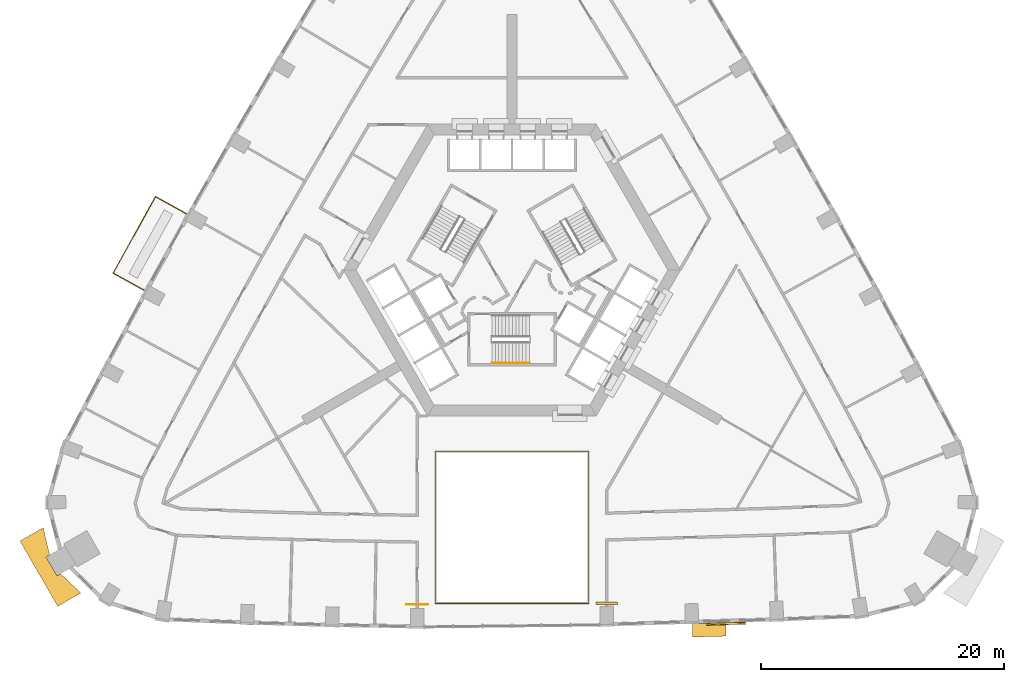
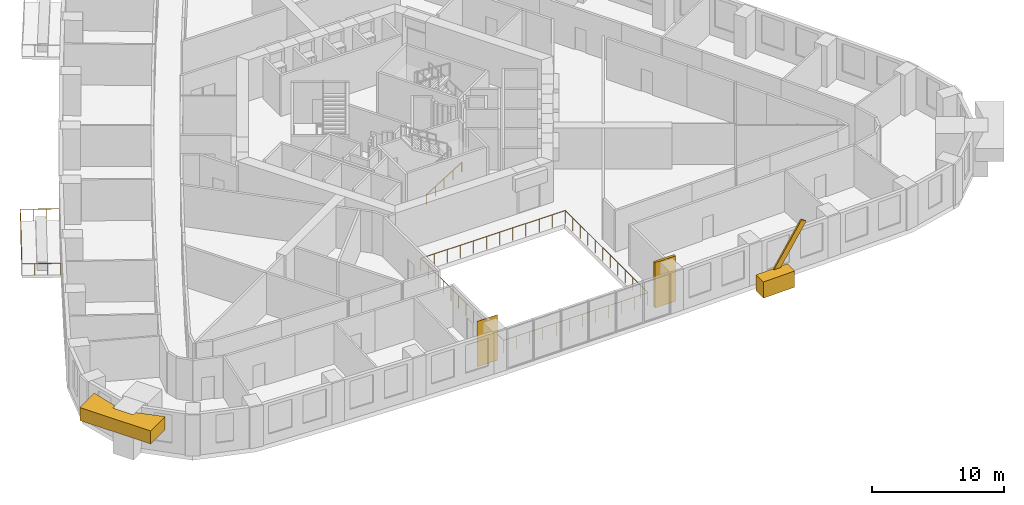
# One storey, part 13 of 15: 4 coverings, 3 railings, 1 shading device.
"""IFC4 building model written with IfcOpenShell, lengths in metres."""

import ifcopenshell
import ifcopenshell.guid

model = None  # the IFC model being written
_history = None  # IfcOwnerHistory: only IFC2X3 demands one
_inside = {}  # id of a spatial element -> (the spatial element, [elements in it])
_under = {}  # id of a project, library or spatial element -> (it, [spatial elements below it])
_declared = {}  # id of a project -> (the project, [libraries it declares])
_typed = {}  # id of a type object -> (the type object, [elements of that type])
_made_of = {}  # id of a material, layer set ... -> (it, [elements and type objects made of it])


def new_model(schema):
    """Start an empty IFC model of exactly this schema.

    Asked for "IFC4X3", IfcOpenShell would pick the latest addendum, in which some entities
    have other attributes; the version numbers below select the first issue.
    IFC2X3 requires an IfcOwnerHistory on every rooted entity: one is made here for all.
    """
    global model, _history
    if schema == "IFC4X3":
        model = ifcopenshell.file(schema_version=(4, 3, 0, 0))
    else:
        model = ifcopenshell.file(schema=schema)
    _inside.clear()
    _under.clear()
    _declared.clear()
    _typed.clear()
    _made_of.clear()
    _history = None
    if model.schema == "IFC2X3":
        org = make("IfcOrganization", Name="unknown")
        user = make(
            "IfcPersonAndOrganization",
            ThePerson=make("IfcPerson", FamilyName="unknown"),
            TheOrganization=org,
        )
        app = make(
            "IfcApplication",
            ApplicationDeveloper=org,
            Version="unknown",
            ApplicationFullName="unknown",
            ApplicationIdentifier="unknown",
        )
        _history = make(
            "IfcOwnerHistory",
            OwningUser=user,
            OwningApplication=app,
            ChangeAction="ADDED",
            CreationDate=0,
        )
    return model


def make(cls, **values):
    """One entity of the class cls with the attributes given. An attribute that is None is left unset."""
    return model.create_entity(
        cls, **{name: value for name, value in values.items() if value is not None}
    )


def rooted(cls, **values):
    """An entity with a GlobalId (a new one), such as an element, a storey or a relation."""
    return make(cls, GlobalId=ifcopenshell.guid.new(), OwnerHistory=_history, **values)


def si_unit(unit_type, name, prefix=None):
    """IfcSIUnit, for example si_unit("LENGTHUNIT", "METRE", prefix="MILLI")."""
    return make("IfcSIUnit", UnitType=unit_type, Prefix=prefix, Name=name)


def assignment(units):
    """IfcUnitAssignment: the units of a project."""
    return None if units is None else make("IfcUnitAssignment", Units=units)


def point(xyz):
    """IfcCartesianPoint."""
    return None if xyz is None else make("IfcCartesianPoint", Coordinates=xyz)


def direction(xyz):
    """IfcDirection."""
    return None if xyz is None else make("IfcDirection", DirectionRatios=xyz)


def frame(location, z_axis=None, x_axis=None):
    """IfcAxis2Placement3D, a coordinate frame: its origin and axes. An axis left out is left unset."""
    return make(
        "IfcAxis2Placement3D",
        Location=point(location),
        Axis=direction(z_axis),
        RefDirection=direction(x_axis),
    )


def frame_2d(location, x_axis=None):
    """IfcAxis2Placement2D, a coordinate frame in the plane: its origin and x axis."""
    return make(
        "IfcAxis2Placement2D", Location=point(location), RefDirection=direction(x_axis)
    )


def origin():
    """The frame at (0, 0, 0) with its axes left unset."""
    return frame((0.0, 0.0, 0.0))


def origin_2d():
    """The frame at (0, 0) in the plane with its x axis left unset."""
    return frame_2d((0.0, 0.0))


def place(relative_to, where):
    """IfcLocalPlacement: puts the frame where relative to a parent placement (None: the world)."""
    return make(
        "IfcLocalPlacement", PlacementRelTo=relative_to, RelativePlacement=where
    )


def context(
    kind, dimensions, precision=None, world=None, true_north=None, identifier=None
):
    """IfcGeometricRepresentationContext, for example the 3D "Model" context."""
    return make(
        "IfcGeometricRepresentationContext",
        ContextIdentifier=identifier,
        ContextType=kind,
        CoordinateSpaceDimension=dimensions,
        Precision=precision,
        WorldCoordinateSystem=world,
        TrueNorth=true_north,
    )


def subcontext(parent, identifier, kind, view, scale=None):
    """IfcGeometricRepresentationSubContext, for example "Body" below "Model"."""
    return make(
        "IfcGeometricRepresentationSubContext",
        ContextIdentifier=identifier,
        ContextType=kind,
        ParentContext=parent,
        TargetScale=scale,
        TargetView=view,
    )


def project(units=None, contexts=None):
    """IfcProject with its units and contexts."""
    return rooted(
        "IfcProject",
        Name="project",
        RepresentationContexts=contexts,
        UnitsInContext=assignment(units),
    )


def spatial(cls, under=None, at=None, **own):
    """A site, building, storey or space (cls), placed at a placement, below another one or the project."""
    s = rooted(cls, ObjectPlacement=at, **own)
    if under is not None:
        _under.setdefault(under.id(), (under, []))[1].append(s)
    return s


def polyline(points):
    """IfcPolyline through the points."""
    return make("IfcPolyline", Points=[point(p) for p in points])


def profile(cls, at=None, kind="AREA", **sizes):
    """A parametric profile (cls). Its sizes go by their IFC names, for example OverallWidth=200.0."""
    return make(cls, ProfileType=kind, Position=at, **sizes)


def rectangle(**sizes):
    """IfcRectangleProfileDef."""
    return profile("IfcRectangleProfileDef", **sizes)


def circle(**sizes):
    """IfcCircleProfileDef."""
    return profile("IfcCircleProfileDef", **sizes)


def outline(outer, holes=None, kind="AREA"):
    """IfcArbitraryClosedProfileDef: a profile drawn as a closed curve; with holes, ...WithVoids."""
    if holes is None:
        return make("IfcArbitraryClosedProfileDef", ProfileType=kind, OuterCurve=outer)
    return make(
        "IfcArbitraryProfileDefWithVoids",
        ProfileType=kind,
        OuterCurve=outer,
        InnerCurves=holes,
    )


def extrude(swept, where, along, depth):
    """IfcExtrudedAreaSolid: the profile swept, set in the frame where, extruded along a direction by depth."""
    return make(
        "IfcExtrudedAreaSolid",
        SweptArea=swept,
        Position=where,
        ExtrudedDirection=direction(along),
        Depth=depth,
    )


def shape(context_of_items, identifier, shape_type, items):
    """IfcShapeRepresentation: the items that make up one representation, for example the "Body"."""
    return make(
        "IfcShapeRepresentation",
        ContextOfItems=context_of_items,
        RepresentationIdentifier=identifier,
        RepresentationType=shape_type,
        Items=items,
    )


def material(Name=None, Category=None):
    """IfcMaterial."""
    return make("IfcMaterial", Name=Name, Category=Category)


def material_profile(
    of_material, cross_section, Name=None, Category=None, Priority=None
):
    """IfcMaterialProfile: a cross section and its material."""
    return make(
        "IfcMaterialProfile",
        Name=Name,
        Material=of_material,
        Profile=cross_section,
        Priority=Priority,
        Category=Category,
    )


def profile_set(profiles, Name=None, composite=None):
    """IfcMaterialProfileSet."""
    return make(
        "IfcMaterialProfileSet",
        Name=Name,
        MaterialProfiles=profiles,
        CompositeProfile=composite,
    )


def made_of(thing, what):
    """Note that an element or type object is made of a material, layer set ...; save() writes the relation."""
    if what is not None:
        _made_of.setdefault(what.id(), (what, []))[1].append(thing)
    return thing


def type_object(cls, material=None, **own):
    """A type object (cls), such as IfcWallType, which elements share."""
    return made_of(rooted(cls, **own), material)


def element(
    cls,
    number,
    at=None,
    inside=None,
    cuts=None,
    type_object=None,
    material=None,
    context=None,
    identifier="Body",
    shape_type=None,
    held_by="IfcProductDefinitionShape",
    body=None,
    shapes=None,
    **own,
):
    """One element of the class cls, such as IfcWall. Its Tag is "e" and its number.

    at: its placement. inside: the storey or other place that contains it. cuts: it is an
    opening in that element (IfcRelVoidsElement). A single representation is given by context,
    identifier, shape_type and body (its items); several are given by shapes. held_by: the class
    of the entity that holds the representations. save() writes the other relations.
    """
    e = rooted(cls, Tag="e%d" % number, ObjectPlacement=at, **own)
    if body is not None:
        shapes = [shape(context, identifier, shape_type, body)]
    if shapes is not None:
        e.Representation = make(held_by, Representations=shapes)
    if inside is not None:
        _inside.setdefault(inside.id(), (inside, []))[1].append(e)
    if cuts is not None:
        rooted(
            "IfcRelVoidsElement", RelatingBuildingElement=cuts, RelatedOpeningElement=e
        )
    if type_object is not None:
        _typed.setdefault(type_object.id(), (type_object, []))[1].append(e)
    return made_of(e, material)


def aggregate(whole, parts):
    """IfcRelAggregates: a whole, such as a stair, and the parts it consists of."""
    return rooted("IfcRelAggregates", RelatingObject=whole, RelatedObjects=parts)


def save(model, path):
    """Write the relations noted so far, then the file.

    IfcRelAggregates (storeys below a building ...), IfcRelContainedInSpatialStructure (elements
    in a storey), IfcRelDefinesByType, IfcRelAssociatesMaterial and IfcRelDeclares: one each for
    every whole, place, type object, material and project.
    """
    for whole, parts in _under.values():
        aggregate(whole, parts)
    for where, things in _inside.values():
        rooted(
            "IfcRelContainedInSpatialStructure",
            RelatedElements=things,
            RelatingStructure=where,
        )
    for kind, things in _typed.values():
        rooted("IfcRelDefinesByType", RelatedObjects=things, RelatingType=kind)
    for what, things in _made_of.values():
        rooted("IfcRelAssociatesMaterial", RelatedObjects=things, RelatingMaterial=what)
    for by, libraries in _declared.values():
        rooted("IfcRelDeclares", RelatingContext=by, RelatedDefinitions=libraries)
    model.write(path)


model = new_model("IFC4")

# Units and contexts
model_context = context("Model", 3, precision=1e-05, world=origin(), true_north=direction((0.0, 1.0)))
body_context = subcontext(model_context, "Body", "Model", "MODEL_VIEW")
ifc_project = project(units=[si_unit("LENGTHUNIT", "METRE"), si_unit("AREAUNIT", "SQUARE_METRE"), si_unit("VOLUMEUNIT", "CUBIC_METRE"), si_unit("PLANEANGLEUNIT", "RADIAN"), si_unit("MASSUNIT", "GRAM", prefix="KILO")], contexts=[model_context])

# Site, building, storey
site_placement = place(None, origin())
site = spatial("IfcSite", under=ifc_project, at=site_placement, CompositionType="ELEMENT")
building_placement = place(site_placement, origin())
building = spatial("IfcBuilding", under=site, at=building_placement, Name="Entoto Arch Interchange Tower", CompositionType="ELEMENT")
storey_placement = place(building_placement, frame((0.0, 0.0, 107.60009765625)))
storey = spatial("IfcBuildingStorey", under=building, at=storey_placement, Name="L23", CompositionType="ELEMENT", Elevation=107.60009765625)

# Railing
ifc_material_1 = material(Name="Stainless steel 1.4301", Category="steel")
railing_type_1 = type_object("IfcRailingType", Name="ATRIUM GUARD 1200 STEEL AND GLASS", PredefinedType="GUARDRAIL", material=ifc_material_1)
railing_1_placement = place(storey_placement, frame((6.320068359375, -24.9140625, 0.0)))
element("IfcRailing", 1, at=railing_1_placement, inside=storey, type_object=railing_type_1, Name="Atrium guard L23", PredefinedType="GUARDRAIL", context=body_context, shape_type="SweptSolid", body=[
    extrude(circle(Radius=0.02392578125, at=origin_2d()), frame((0.0, 0.0, 1.17578125), z_axis=(-1.0, 0.0, 0.0), x_axis=(0.0, -1.0, 0.0)), (0.0, 0.0, 1.0), 12.64013671875),
    extrude(circle(Radius=0.02392578125, at=origin_2d()), frame((-12.64013671875, 0.0, 1.17578125), z_axis=(0.0, 1.0, 0.0), x_axis=(-1.0, 0.0, 0.0)), (0.0, 0.0, 1.0), 12.5341796875),
    extrude(circle(Radius=0.02392578125, at=origin_2d()), frame((-12.64013671875, 12.5341796875, 1.17578125), z_axis=(1.0, 0.0, 0.0), x_axis=(0.0, 1.0, 0.0)), (0.0, 0.0, 1.0), 12.64013671875),
    extrude(circle(Radius=0.02392578125, at=origin_2d()), frame((0.0, 12.5341796875, 1.17578125), z_axis=(0.0, -1.0, 0.0), x_axis=(1.0, 0.0, 0.0)), (0.0, 0.0, 1.0), 12.5341796875),
    extrude(circle(Radius=0.02099609375, at=origin_2d()), origin(), (0.0, 0.0, 1.0), 1.15185546875),
    extrude(circle(Radius=0.02099609375, at=origin_2d()), frame((-1.149169921875, 0.0, 0.0)), (0.0, 0.0, 1.0), 1.15185546875),
    extrude(circle(Radius=0.02099609375, at=origin_2d()), frame((-2.298095703125, 0.0, 0.0)), (0.0, 0.0, 1.0), 1.15185546875),
    extrude(circle(Radius=0.02099609375, at=origin_2d()), frame((-3.447265625, 0.0, 0.0)), (0.0, 0.0, 1.0), 1.15185546875),
    extrude(circle(Radius=0.02099609375, at=origin_2d()), frame((-4.596435546875, 0.0, 0.0)), (0.0, 0.0, 1.0), 1.15185546875),
    extrude(circle(Radius=0.02099609375, at=origin_2d()), frame((-5.74560546875, 0.0, 0.0)), (0.0, 0.0, 1.0), 1.15185546875),
    extrude(circle(Radius=0.02099609375, at=origin_2d()), frame((-6.89453125, 0.0, 0.0)), (0.0, 0.0, 1.0), 1.15185546875),
    extrude(circle(Radius=0.02099609375, at=origin_2d()), frame((-8.043701171875, 0.0, 0.0)), (0.0, 0.0, 1.0), 1.15185546875),
    extrude(circle(Radius=0.02099609375, at=origin_2d()), frame((-9.19287109375, 0.0, 0.0)), (0.0, 0.0, 1.0), 1.15185546875),
    extrude(circle(Radius=0.02099609375, at=origin_2d()), frame((-10.342041015625, 0.0, 0.0)), (0.0, 0.0, 1.0), 1.15185546875),
    extrude(circle(Radius=0.02099609375, at=origin_2d()), frame((-11.490966796875, 0.0, 0.0)), (0.0, 0.0, 1.0), 1.15185546875),
    extrude(circle(Radius=0.02099609375, at=origin_2d()), frame((-12.64013671875, 0.0, 0.0)), (0.0, 0.0, 1.0), 1.15185546875),
    extrude(circle(Radius=0.02099609375, at=origin_2d()), frame((-12.64013671875, 1.139404296875, 0.0)), (0.0, 0.0, 1.0), 1.15185546875),
    extrude(circle(Radius=0.02099609375, at=origin_2d()), frame((-12.64013671875, 2.279052734375, 0.0)), (0.0, 0.0, 1.0), 1.15185546875),
    extrude(circle(Radius=0.02099609375, at=origin_2d()), frame((-12.64013671875, 3.41845703125, 0.0)), (0.0, 0.0, 1.0), 1.15185546875),
    extrude(circle(Radius=0.02099609375, at=origin_2d()), frame((-12.64013671875, 4.557861328125, 0.0)), (0.0, 0.0, 1.0), 1.15185546875),
    extrude(circle(Radius=0.02099609375, at=origin_2d()), frame((-12.64013671875, 5.697265625, 0.0)), (0.0, 0.0, 1.0), 1.15185546875),
    extrude(circle(Radius=0.02099609375, at=origin_2d()), frame((-12.64013671875, 6.8369140625, 0.0)), (0.0, 0.0, 1.0), 1.15185546875),
    extrude(circle(Radius=0.02099609375, at=origin_2d()), frame((-12.64013671875, 7.976318359375, 0.0)), (0.0, 0.0, 1.0), 1.15185546875),
    extrude(circle(Radius=0.02099609375, at=origin_2d()), frame((-12.64013671875, 9.11572265625, 0.0)), (0.0, 0.0, 1.0), 1.15185546875),
    extrude(circle(Radius=0.02099609375, at=origin_2d()), frame((-12.64013671875, 10.255126953125, 0.0)), (0.0, 0.0, 1.0), 1.15185546875),
    extrude(circle(Radius=0.02099609375, at=origin_2d()), frame((-12.64013671875, 11.394775390625, 0.0)), (0.0, 0.0, 1.0), 1.15185546875),
    extrude(circle(Radius=0.02099609375, at=origin_2d()), frame((-12.64013671875, 12.5341796875, 0.0)), (0.0, 0.0, 1.0), 1.15185546875),
    extrude(circle(Radius=0.02099609375, at=origin_2d()), frame((-11.490966796875, 12.5341796875, 0.0)), (0.0, 0.0, 1.0), 1.15185546875),
    extrude(circle(Radius=0.02099609375, at=origin_2d()), frame((-10.342041015625, 12.5341796875, 0.0)), (0.0, 0.0, 1.0), 1.15185546875),
    extrude(circle(Radius=0.02099609375, at=origin_2d()), frame((-9.19287109375, 12.5341796875, 0.0)), (0.0, 0.0, 1.0), 1.15185546875),
    extrude(circle(Radius=0.02099609375, at=origin_2d()), frame((-8.043701171875, 12.5341796875, 0.0)), (0.0, 0.0, 1.0), 1.15185546875),
    extrude(circle(Radius=0.02099609375, at=origin_2d()), frame((-6.89453125, 12.5341796875, 0.0)), (0.0, 0.0, 1.0), 1.15185546875),
    extrude(circle(Radius=0.02099609375, at=origin_2d()), frame((-5.74560546875, 12.5341796875, 0.0)), (0.0, 0.0, 1.0), 1.15185546875),
    extrude(circle(Radius=0.02099609375, at=origin_2d()), frame((-4.596435546875, 12.5341796875, 0.0)), (0.0, 0.0, 1.0), 1.15185546875),
    extrude(circle(Radius=0.02099609375, at=origin_2d()), frame((-3.447265625, 12.5341796875, 0.0)), (0.0, 0.0, 1.0), 1.15185546875),
    extrude(circle(Radius=0.02099609375, at=origin_2d()), frame((-2.298095703125, 12.5341796875, 0.0)), (0.0, 0.0, 1.0), 1.15185546875),
    extrude(circle(Radius=0.02099609375, at=origin_2d()), frame((-1.149169921875, 12.5341796875, 0.0)), (0.0, 0.0, 1.0), 1.15185546875),
    extrude(circle(Radius=0.02099609375, at=origin_2d()), frame((0.0, 12.5341796875, 0.0)), (0.0, 0.0, 1.0), 1.15185546875),
    extrude(circle(Radius=0.02099609375, at=origin_2d()), frame((0.0, 11.394775390625, 0.0)), (0.0, 0.0, 1.0), 1.15185546875),
    extrude(circle(Radius=0.02099609375, at=origin_2d()), frame((0.0, 10.255126953125, 0.0)), (0.0, 0.0, 1.0), 1.15185546875),
    extrude(circle(Radius=0.02099609375, at=origin_2d()), frame((0.0, 9.11572265625, 0.0)), (0.0, 0.0, 1.0), 1.15185546875),
    extrude(circle(Radius=0.02099609375, at=origin_2d()), frame((0.0, 7.976318359375, 0.0)), (0.0, 0.0, 1.0), 1.15185546875),
    extrude(circle(Radius=0.02099609375, at=origin_2d()), frame((0.0, 6.8369140625, 0.0)), (0.0, 0.0, 1.0), 1.15185546875),
    extrude(circle(Radius=0.02099609375, at=origin_2d()), frame((0.0, 5.697265625, 0.0)), (0.0, 0.0, 1.0), 1.15185546875),
    extrude(circle(Radius=0.02099609375, at=origin_2d()), frame((0.0, 4.557861328125, 0.0)), (0.0, 0.0, 1.0), 1.15185546875),
    extrude(circle(Radius=0.02099609375, at=origin_2d()), frame((0.0, 3.41845703125, 0.0)), (0.0, 0.0, 1.0), 1.15185546875),
    extrude(circle(Radius=0.02099609375, at=origin_2d()), frame((0.0, 2.279052734375, 0.0)), (0.0, 0.0, 1.0), 1.15185546875),
    extrude(circle(Radius=0.02099609375, at=origin_2d()), frame((0.0, 1.139404296875, 0.0)), (0.0, 0.0, 1.0), 1.15185546875),
])

# Shading device
ifc_material_2 = material(Name="Board-marked precast concrete C50/60", Category="concrete")
ifc_material_profile = material_profile(ifc_material_2, rectangle(XDim=0.14990234375, YDim=0.5, at=origin_2d()))
ifc_profile_set = profile_set([ifc_material_profile], Name="Board-marked precast concrete C50/60")
shading_device_type = type_object("IfcShadingDeviceType", Name="FOLD BAND PRECAST 150x500", PredefinedType="USERDEFINED", material=ifc_profile_set)
shading_device_placement = place(storey_placement, frame((16.22802734375, -26.613037109375, 0.25), z_axis=(0.550502716459, 0.015914409572, 0.834681670302), x_axis=(-0.028896794231, 0.999582400447, 0.0)))
element("IfcShadingDevice", 2, at=shading_device_placement, inside=storey, type_object=shading_device_type, Name="Fold band L23", ObjectType="FOLD BAND", PredefinedType="USERDEFINED", context=body_context, shape_type="SweptSolid", body=[
    extrude(rectangle(XDim=0.14990234375, YDim=0.5, at=origin_2d()), origin(), (0.0, 0.0, 1.0), 5.03173828125),
])

# Railing
railing_type_2 = type_object("IfcRailingType", Name="GUARD 1100 STEEL AND GLASS", PredefinedType="GUARDRAIL", material=ifc_material_1)
railing_2_placement = place(storey_placement, frame((-26.73291015625, 7.115966796875, 0.0)))
element("IfcRailing", 3, at=railing_2_placement, inside=storey, type_object=railing_type_2, Name="Balcony guard NW-06 L23", PredefinedType="GUARDRAIL", context=body_context, shape_type="SweptSolid", body=[
    extrude(circle(Radius=0.02392578125, at=origin_2d()), frame((0.0, 0.0, 1.076171875), z_axis=(-0.874477147938, 0.485066714725, 0.0), x_axis=(-0.485066714725, -0.874477147938, 0.0)), (0.0, 0.0, 1.0), 2.950439453125),
    extrude(circle(Radius=0.02392578125, at=origin_2d()), frame((-2.580078125, 1.43115234375, 1.076171875), z_axis=(-0.485179583195, -0.874414531015, 0.0), x_axis=(0.874414531015, -0.485179583195, 0.0)), (0.0, 0.0, 1.0), 7.203857421875),
    extrude(circle(Radius=0.02392578125, at=origin_2d()), frame((-6.0751953125, -4.867919921875, 1.076171875), z_axis=(0.874477147938, -0.485066714725, 0.0), x_axis=(0.485066714725, 0.874477147938, 0.0)), (0.0, 0.0, 1.0), 2.950439453125),
    extrude(circle(Radius=0.02099609375, at=origin_2d()), origin(), (0.0, 0.0, 1.0), 1.052001953125),
    extrude(circle(Radius=0.02099609375, at=origin_2d()), frame((-0.860107421875, 0.47705078125, 0.0)), (0.0, 0.0, 1.0), 1.052001953125),
    extrude(circle(Radius=0.02099609375, at=origin_2d()), frame((-1.719970703125, 0.9541015625, 0.0)), (0.0, 0.0, 1.0), 1.052001953125),
    extrude(circle(Radius=0.02099609375, at=origin_2d()), frame((-2.580078125, 1.43115234375, 0.0)), (0.0, 0.0, 1.0), 1.052001953125),
    extrude(circle(Radius=0.02099609375, at=origin_2d()), frame((-3.079345703125, 0.53125, 0.0)), (0.0, 0.0, 1.0), 1.052001953125),
    extrude(circle(Radius=0.02099609375, at=origin_2d()), frame((-3.57861328125, -0.36865234375, 0.0)), (0.0, 0.0, 1.0), 1.052001953125),
    extrude(circle(Radius=0.02099609375, at=origin_2d()), frame((-4.077880859375, -1.2685546875, 0.0)), (0.0, 0.0, 1.0), 1.052001953125),
    extrude(circle(Radius=0.02099609375, at=origin_2d()), frame((-4.577392578125, -2.168212890625, 0.0)), (0.0, 0.0, 1.0), 1.052001953125),
    extrude(circle(Radius=0.02099609375, at=origin_2d()), frame((-5.07666015625, -3.068115234375, 0.0)), (0.0, 0.0, 1.0), 1.052001953125),
    extrude(circle(Radius=0.02099609375, at=origin_2d()), frame((-5.575927734375, -3.968017578125, 0.0)), (0.0, 0.0, 1.0), 1.052001953125),
    extrude(circle(Radius=0.02099609375, at=origin_2d()), frame((-6.0751953125, -4.867919921875, 0.0)), (0.0, 0.0, 1.0), 1.052001953125),
    extrude(circle(Radius=0.02099609375, at=origin_2d()), frame((-5.215087890625, -5.344970703125, 0.0)), (0.0, 0.0, 1.0), 1.052001953125),
    extrude(circle(Radius=0.02099609375, at=origin_2d()), frame((-4.355224609375, -5.822021484375, 0.0)), (0.0, 0.0, 1.0), 1.052001953125),
    extrude(circle(Radius=0.02099609375, at=origin_2d()), frame((-3.4951171875, -6.299072265625, 0.0)), (0.0, 0.0, 1.0), 1.052001953125),
])

# Coverings
covering_type = type_object("IfcCoveringType", Name="PRECAST FRAME COURSE", PredefinedType="CLADDING", material=ifc_material_2)
covering_1_placement = place(storey_placement, frame((0.0, 0.0, 2.599853515625)))
element("IfcCovering", 4, at=covering_1_placement, inside=storey, type_object=covering_type, Name="Corner pilaster head SW L21-L23", PredefinedType="CLADDING", context=body_context, shape_type="SweptSolid", body=[
    extrude(outline(polyline([(-37.35791015625, -25.14892578125), (-40.4580078125, -19.779052734375), (-38.553955078125, -18.679931640625), (-38.01904296875, -20.912109375), (-38.318115234375, -21.0849609375), (-37.41796875, -22.64306640625), (-37.118896484375, -22.470947265625), (-35.452880859375, -24.049072265625), (-37.35791015625, -25.14892578125)])), origin(), (0.0, 0.0, 1.0), 1.199951171875),
])
covering_2_placement = place(storey_placement, frame((0.0, 0.0, -0.400146484375)))
element("IfcCovering", 5, at=covering_2_placement, inside=storey, type_object=covering_type, Name="Gate pier L23", PredefinedType="CLADDING", context=body_context, shape_type="SweptSolid", body=[
    extrude(outline(polyline([(-8.69189453125, -24.966064453125), (-6.89208984375, -24.966064453125), (-6.89208984375, -24.9990234375), (-8.69189453125, -24.9990234375), (-8.69189453125, -24.966064453125)])), origin(), (0.0, 0.0, 1.0), 4.199951171875),
])
covering_3_placement = place(storey_placement, frame((0.0, 0.0, -0.400146484375)))
element("IfcCovering", 6, at=covering_3_placement, inside=storey, type_object=covering_type, Name="Gate pier L23", PredefinedType="CLADDING", context=body_context, shape_type="SweptSolid", body=[
    extrude(outline(polyline([(6.89208984375, -24.7939453125), (8.69189453125, -24.7939453125), (8.69189453125, -24.9990234375), (6.89208984375, -24.9990234375), (6.89208984375, -24.7939453125)])), origin(), (0.0, 0.0, 1.0), 4.199951171875),
])
covering_4_placement = place(storey_placement, frame((0.0, 0.0, -0.650146484375)))
element("IfcCovering", 7, at=covering_4_placement, inside=storey, type_object=covering_type, Name="Fold crease ribbon L23", PredefinedType="CLADDING", context=body_context, shape_type="SweptSolid", body=[
    extrude(outline(polyline([(15.427978515625, -27.660888671875), (15.37109375, -27.6650390625), (14.840087890625, -27.677978515625), (14.840087890625, -26.577880859375), (15.344970703125, -26.56591796875), (15.344970703125, -26.56298828125), (17.611083984375, -26.498046875), (17.611083984375, -27.60009765625), (15.427978515625, -27.660888671875)])), origin(), (0.0, 0.0, 1.0), 1.5),
])

# Railing
railing_type_3 = type_object("IfcRailingType", Name="STAIR HANDRAIL 900 STEEL", PredefinedType="HANDRAIL", material=ifc_material_1)
railing_3_placement = place(storey_placement, frame((-1.64990234375, -5.14990234375, 0.1748046875)))
element("IfcRailing", 8, at=railing_3_placement, inside=storey, type_object=railing_type_3, Name="L23 ST-S stair handrail 1", PredefinedType="HANDRAIL", context=body_context, shape_type="SweptSolid", body=[
    extrude(circle(Radius=0.02392578125, at=origin_2d()), frame((0.0, 0.0, 0.8759765625), z_axis=(0.847979421464, 0.0, 0.530029150871), x_axis=(0.0, 1.0, 0.0)), (0.0, 0.0, 1.0), 3.632080078125),
    extrude(circle(Radius=0.02099609375, at=origin_2d()), origin(), (0.0, 0.0, 1.0), 0.851806640625),
    extrude(circle(Radius=0.02099609375, at=origin_2d()), frame((0.77001953125, 0.0, 0.481201171875)), (0.0, 0.0, 1.0), 0.851806640625),
    extrude(circle(Radius=0.02099609375, at=origin_2d()), frame((1.5400390625, 0.0, 0.96240234375)), (0.0, 0.0, 1.0), 0.851806640625),
    extrude(circle(Radius=0.02099609375, at=origin_2d()), frame((2.309814453125, 0.0, 1.44384765625)), (0.0, 0.0, 1.0), 0.851806640625),
    extrude(circle(Radius=0.02099609375, at=origin_2d()), frame((3.079833984375, 0.0, 1.925048828125)), (0.0, 0.0, 1.0), 0.851806640625),
])

save(model, "model.ifc")
